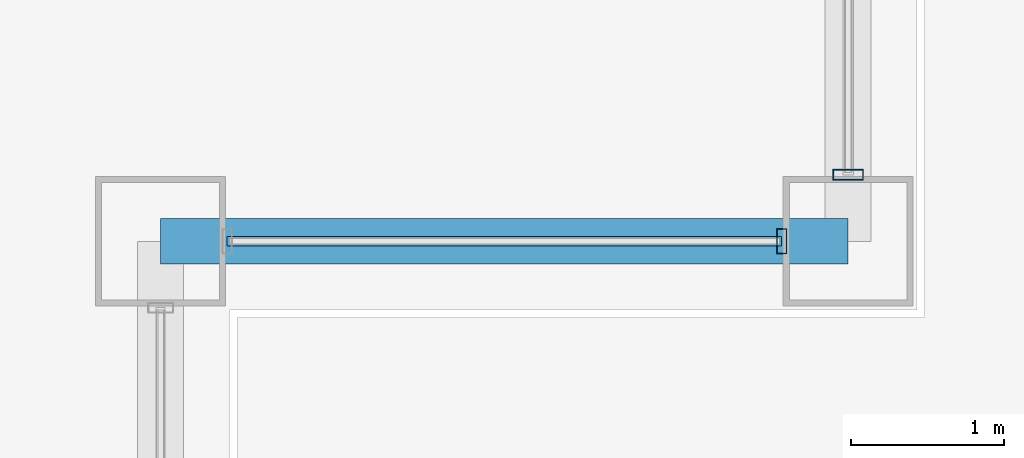
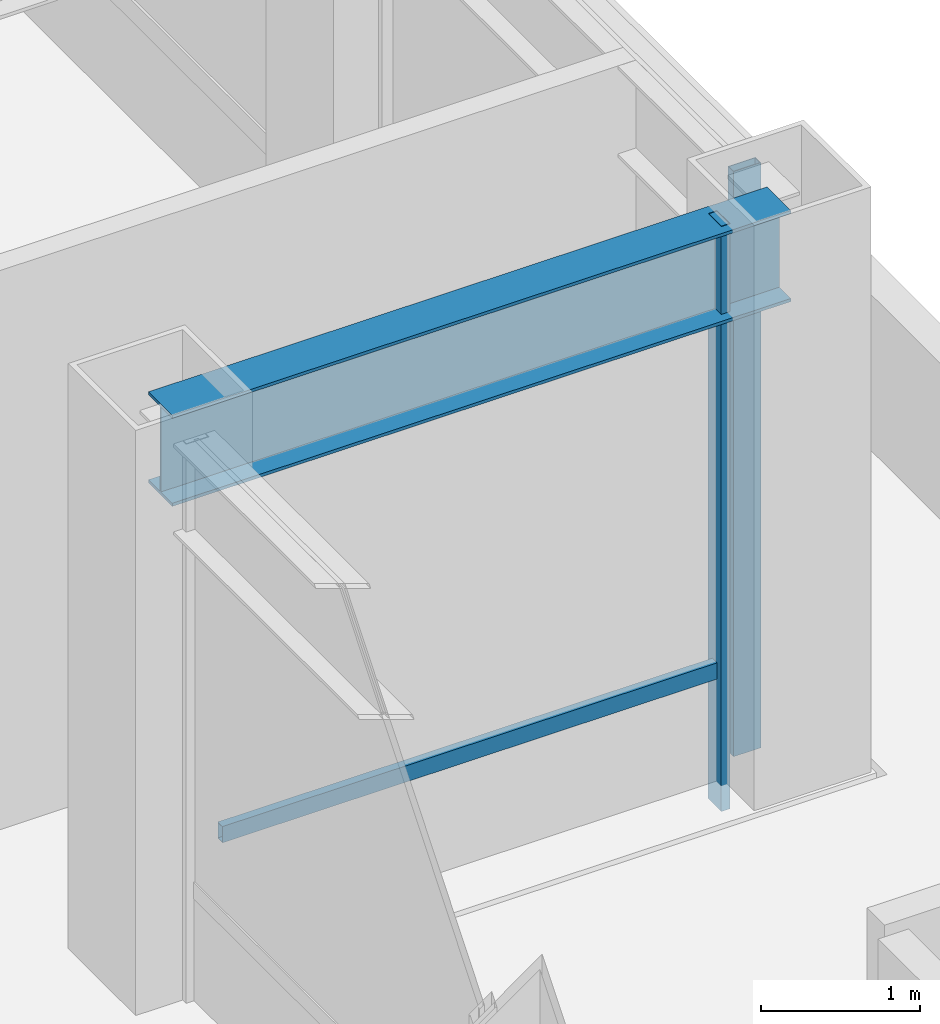
# One storey, part 12 of 32: 3 members, 1 beam, 2 elements without a shape of their own.
"""IFC4 building model written with IfcOpenShell, lengths in metres."""

from ifc_helpers import new_model, si_unit, direction, frame, origin, origin_2d, place, context, subcontext, project, spatial, hollow_rectangle, i_section, extrude, material, layer, layer_set, material_profile, profile_set, type_object, element, aggregate, save


model = new_model("IFC4")

# Units and contexts
model_context = context("Model", 3, precision=1e-05, world=origin(), true_north=direction((0.0, 1.0)))
body_context = subcontext(model_context, "Body", "Model", "MODEL_VIEW")
ifc_project = project(units=[si_unit("LENGTHUNIT", "METRE"), si_unit("AREAUNIT", "SQUARE_METRE"), si_unit("VOLUMEUNIT", "CUBIC_METRE"), si_unit("PLANEANGLEUNIT", "RADIAN"), si_unit("MASSUNIT", "GRAM", prefix="KILO")], contexts=[model_context])

# Site, building, storey
site_placement = place(None, origin())
site = spatial("IfcSite", under=ifc_project, at=site_placement, CompositionType="ELEMENT")
building_placement = place(site_placement, origin())
building = spatial("IfcBuilding", under=site, at=building_placement, Name="Brelmoor Portico Tower", CompositionType="ELEMENT")
storey_placement = place(building_placement, frame((0.0, 0.0, 87.300048828125)))
storey = spatial("IfcBuildingStorey", under=building, at=storey_placement, Name="L22", CompositionType="ELEMENT", Elevation=87.300048828125)

# Beam
ifc_material_1 = material(Name="Steel Q355B", Category="steel")
ifc_material_profile_1 = material_profile(ifc_material_1, i_section(OverallWidth=0.300048828125, OverallDepth=0.699951171875, WebThickness=0.012939453125, FlangeThickness=0.02392578125, at=origin_2d()), Name="HN 700x300x13x24")
ifc_profile_set_1 = profile_set([ifc_material_profile_1], Name="Steel Q355B")
beam_type = type_object("IfcBeamType", Name="BM-SP-700", PredefinedType="SPANDREL", material=ifc_profile_set_1)
beam_placement = place(storey_placement, frame((18.050048828125, -15.050048828125, 3.949951171875), z_axis=(1.0, 0.0, 0.0), x_axis=(0.0, 1.0, 0.0)))
element("IfcBeam", 1, at=beam_placement, inside=storey, type_object=beam_type, Name="L22 Perimeter Spandrel Beam SP-07", PredefinedType="SPANDREL", context=body_context, shape_type="SweptSolid", body=[
    extrude(i_section(OverallWidth=0.300048828125, OverallDepth=0.699951171875, WebThickness=0.012939453125, FlangeThickness=0.02392578125, at=origin_2d()), origin(), (0.0, 0.0, 1.0), 4.5),
])

# Curtain wall, member
ifc_material_2 = material(Name="Anodised Aluminium Alloy 6063-T6", Category="aluminium")
ifc_layer_1 = layer(ifc_material_2, 0.179931640625)
ifc_layer_set_1 = layer_set([ifc_layer_1], Name="Anodised Aluminium Alloy 6063-T6")
curtain_wall_type_1 = type_object("IfcCurtainWallType", Name="CW-NOTCH-CHAMFER", PredefinedType="NOTDEFINED", material=ifc_layer_set_1)
curtain_wall_1_placement = place(storey_placement, origin())
curtain_wall_1 = element("IfcCurtainWall", 2, at=curtain_wall_1_placement, inside=storey, type_object=curtain_wall_type_1, Name="L22 Curtain Wall CWN-L22-SEH", PredefinedType="NOTDEFINED")
ifc_material_profile_2 = material_profile(ifc_material_2, hollow_rectangle(XDim=0.06494140625, YDim=0.1650390625, WallThickness=0.00390625, at=origin_2d()), Name="ALU MULLION 65x165")
ifc_profile_set_2 = profile_set([ifc_material_profile_2], Name="Anodised Aluminium Alloy 6063-T6")
member_type_1 = type_object("IfcMemberType", Name="MB-CW-MULL-165", PredefinedType="MULLION", material=ifc_profile_set_2)
member_1_placement = place(storey_placement, frame((22.114990234375, -15.050048828125, -0.199951171875), z_axis=(0.0, 0.0, 1.0), x_axis=(1.0, 0.0, 0.0)))
member_1 = element("IfcMember", 3, at=member_1_placement, type_object=member_type_1, Name="CWN-L22-SEH Mullion 01", PredefinedType="MULLION", context=body_context, shape_type="SweptSolid", body=[
    extrude(hollow_rectangle(XDim=0.06494140625, YDim=0.1650390625, WallThickness=0.00390625, at=origin_2d()), origin(), (0.0, 0.0, 1.0), 4.5),
])

ifc_layer_2 = layer(ifc_material_2, 0.179931640625)
ifc_layer_set_2 = layer_set([ifc_layer_2], Name="Anodised Aluminium Alloy 6063-T6")
curtain_wall_type_2 = type_object("IfcCurtainWallType", Name="CW-SKYLOBBY", PredefinedType="NOTDEFINED", material=ifc_layer_set_2)
curtain_wall_2_placement = place(storey_placement, origin())
curtain_wall_2 = element("IfcCurtainWall", 4, at=curtain_wall_2_placement, inside=storey, type_object=curtain_wall_type_2, Name="L22 Curtain Wall CW-L22-04-1", PredefinedType="NOTDEFINED")
ifc_material_profile_3 = material_profile(ifc_material_2, hollow_rectangle(XDim=0.070068359375, YDim=0.199951171875, WallThickness=0.00439453125, at=origin_2d()), Name="ALU MULLION 70x200")
ifc_profile_set_3 = profile_set([ifc_material_profile_3], Name="Anodised Aluminium Alloy 6063-T6")
member_type_2 = type_object("IfcMemberType", Name="MB-CW-MULL-200", PredefinedType="MULLION", material=ifc_profile_set_3)
member_2_placement = place(storey_placement, frame((22.550048828125, -14.614990234375, -0.199951171875), z_axis=(0.0, 0.0, 1.0), x_axis=(0.0, 1.0, 0.0)))
member_2 = element("IfcMember", 5, at=member_2_placement, type_object=member_type_2, Name="CW-L22-04-1 Mullion 00", PredefinedType="MULLION", context=body_context, shape_type="SweptSolid", body=[
    extrude(hollow_rectangle(XDim=0.070068359375, YDim=0.199951171875, WallThickness=0.00439453125, at=origin_2d()), origin(), (0.0, 0.0, 1.0), 4.5),
])
aggregate(curtain_wall_2, [member_2])

# Member
ifc_material_profile_4 = material_profile(ifc_material_2, hollow_rectangle(XDim=0.06005859375, YDim=0.125, WallThickness=0.00341796875, at=origin_2d()), Name="ALU TRANSOM 60x125")
ifc_profile_set_4 = profile_set([ifc_material_profile_4], Name="Anodised Aluminium Alloy 6063-T6")
member_type_3 = type_object("IfcMemberType", Name="MB-CW-TRAN-125", PredefinedType="USERDEFINED", material=ifc_profile_set_4)
member_3_placement = place(storey_placement, frame((18.485107421875, -15.050048828125, 0.849853515625), z_axis=(1.0, 0.0, 0.0), x_axis=(0.0, 1.0, 0.0)))
member_3 = element("IfcMember", 6, at=member_3_placement, type_object=member_type_3, Name="CWN-L22-SEH Transom 1-00", ObjectType="TRANSOM", PredefinedType="USERDEFINED", context=body_context, shape_type="SweptSolid", body=[
    extrude(hollow_rectangle(XDim=0.06005859375, YDim=0.125, WallThickness=0.00341796875, at=origin_2d()), origin(), (0.0, 0.0, 1.0), 3.6298828125),
])

aggregate(curtain_wall_1, [member_1, member_3])

save(model, "model.ifc")
